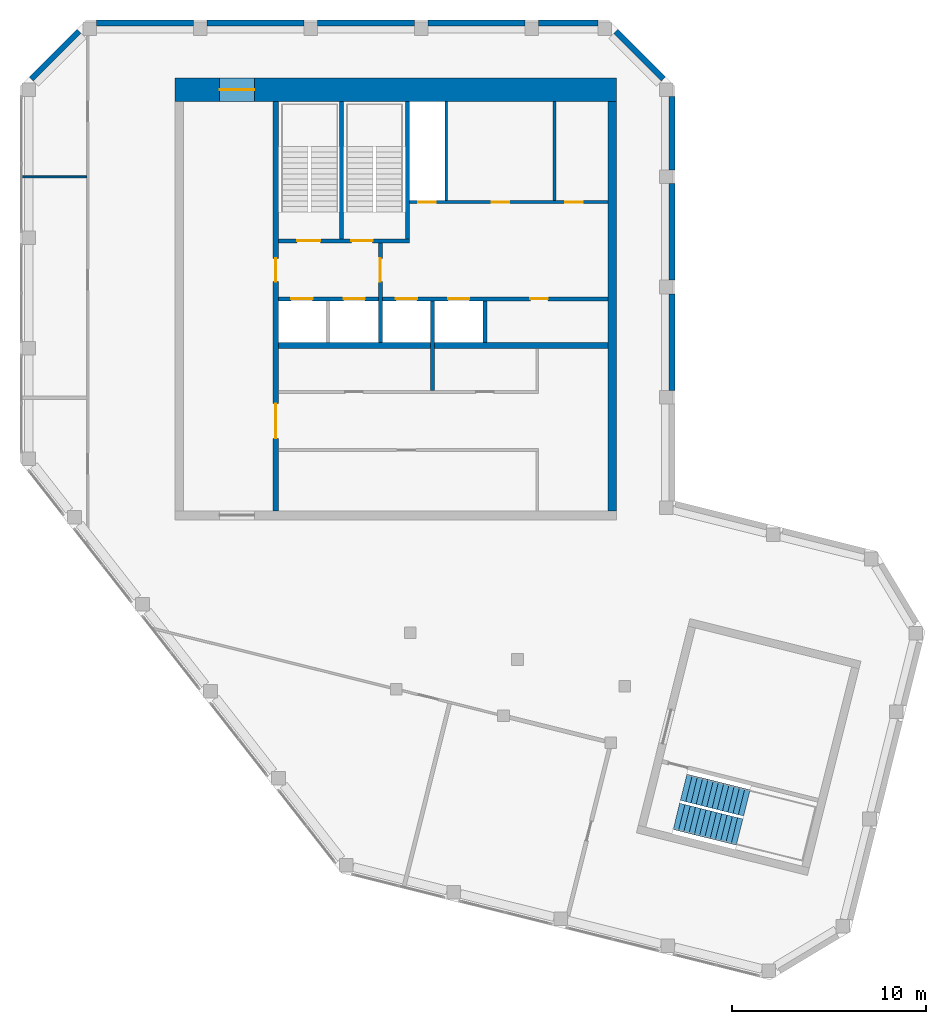
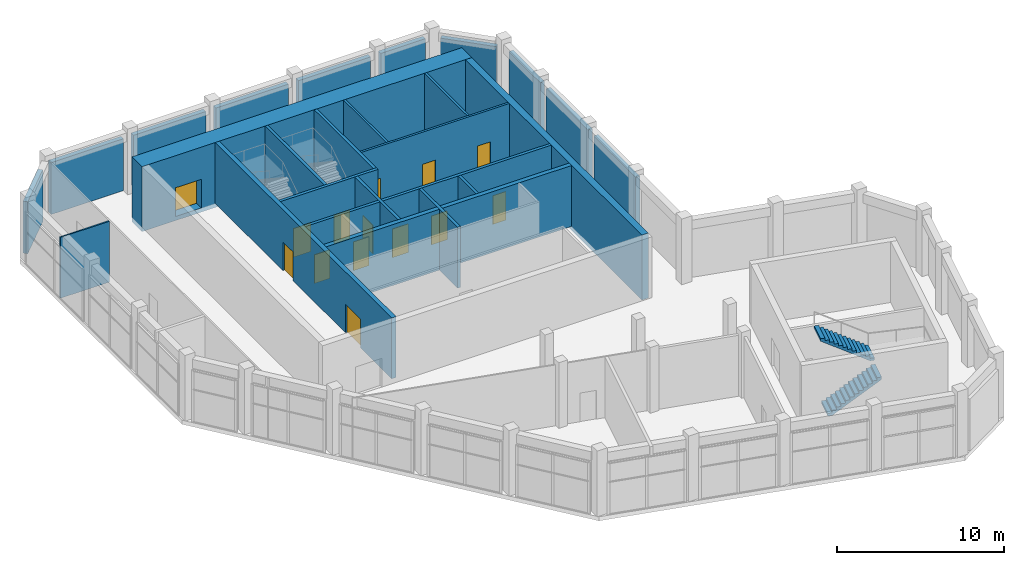
# One storey, part 8 of 10: 25 walls, 14 doors, 2 stair flights, 14 openings, 1 element without a shape of its own.
"""IFC4 building model written with IfcOpenShell, lengths in metres."""

from ifc_helpers import new_model, si_unit, direction, frame, frame_2d, origin, place, context, subcontext, project, spatial, polyline, rectangle, outline, extrude, material, layer, layer_set, type_object, element, fill, aggregate, save


model = new_model("IFC4")

# Units and contexts
model_context = context("Model", 3, precision=1e-05, world=origin(), true_north=direction((0.0, 1.0)))
body_context = subcontext(model_context, "Body", "Model", "MODEL_VIEW")
ifc_project = project(units=[si_unit("LENGTHUNIT", "METRE"), si_unit("AREAUNIT", "SQUARE_METRE"), si_unit("VOLUMEUNIT", "CUBIC_METRE"), si_unit("PLANEANGLEUNIT", "RADIAN"), si_unit("MASSUNIT", "GRAM", prefix="KILO")], contexts=[model_context])

# Site, building, storey
site_placement = place(None, origin())
site = spatial("IfcSite", under=ifc_project, at=site_placement, CompositionType="ELEMENT")
building_placement = place(site_placement, origin())
building = spatial("IfcBuilding", under=site, at=building_placement, Name="Meshkara Civic Tower", CompositionType="ELEMENT")
storey_placement = place(building_placement, frame((0.0, 0.0, 424.199951171875)))
storey = spatial("IfcBuildingStorey", under=building, at=storey_placement, Name="L97 Crown", CompositionType="ELEMENT", Elevation=424.199951171875)

# Walls
ifc_material_1 = material(Name="Insulated infill panel with bronze anodised aluminium cladding", Category="aluminium")
ifc_layer_1 = layer(ifc_material_1, 0.300048828125)
ifc_layer_set_1 = layer_set([ifc_layer_1], Name="CROWN WALL 300")
wall_type_1 = type_object("IfcWallType", Name="CROWN WALL 300", PredefinedType="SOLIDWALL", material=ifc_layer_set_1)
for number, where, z_axis, x_axis, name in (
    (1, (33.64990234375, 20.76904296875, 0.0), (0.0, 0.0, 1.0), (0.0, 1.0, 0.0), "Crown external wall"),
    (2, (33.64990234375, 26.468994140625, 0.0), (0.0, 0.0, 1.0), (0.0, 1.0, 0.0), "Crown external wall"),
):
    element("IfcWall", number, at=place(storey_placement, frame(where, z_axis=z_axis, x_axis=x_axis)), inside=storey, type_object=wall_type_1, Name=name, PredefinedType="SOLIDWALL", context=body_context, shape_type="SweptSolid", body=[
        extrude(rectangle(XDim=5.0, YDim=0.300048828125, at=frame_2d((2.5, 0.0))), origin(), (0.0, 0.0, 1.0), 3.800048828125),
    ])
wall_1_placement = place(storey_placement, frame((33.64990234375, 32.1689453125, 0.0), z_axis=(0.0, 0.0, 1.0), x_axis=(0.0, 1.0, 0.0)))
element("IfcWall", 3, at=wall_1_placement, inside=storey, type_object=wall_type_1, Name="Crown external wall", PredefinedType="SOLIDWALL", context=body_context, shape_type="SweptSolid", body=[
    extrude(rectangle(XDim=3.775146484375, YDim=0.300048828125, at=frame_2d((1.8876953125, 0.0))), origin(), (0.0, 0.0, 1.0), 3.800048828125),
])
wall_2_placement = place(storey_placement, frame((33.2119140625, 36.85595703125, 0.0), z_axis=(0.0, 0.0, 1.0), x_axis=(-0.707071634094, 0.707141926532, 0.0)))
element("IfcWall", 4, at=wall_2_placement, inside=storey, type_object=wall_type_1, Name="Crown external wall", PredefinedType="SOLIDWALL", context=body_context, shape_type="SweptSolid", body=[
    extrude(rectangle(XDim=3.47314453125, YDim=0.300048828125, at=frame_2d((1.736572265625, 0.0))), origin(), (0.0, 0.0, 1.0), 3.800048828125),
])
wall_3_placement = place(storey_placement, frame((29.843994140625, 39.75, 0.0), z_axis=(0.0, 0.0, 1.0), x_axis=(-1.0, 0.0, 0.0)))
element("IfcWall", 5, at=wall_3_placement, inside=storey, type_object=wall_type_1, Name="Crown external wall", PredefinedType="SOLIDWALL", context=body_context, shape_type="SweptSolid", body=[
    extrude(rectangle(XDim=3.087890625, YDim=0.300048828125, at=frame_2d((1.5439453125, 0.0))), origin(), (0.0, 0.0, 1.0), 3.800048828125),
])
for number, where, z_axis, x_axis, name in (
    (6, (26.055908203125, 39.75, 0.0), (0.0, 0.0, 1.0), (-1.0, 0.0, 0.0), "Crown external wall"),
    (7, (20.35595703125, 39.75, 0.0), (0.0, 0.0, 1.0), (-1.0, 0.0, 0.0), "Crown external wall"),
    (8, (14.656005859375, 39.75, 0.0), (0.0, 0.0, 1.0), (-1.0, 0.0, 0.0), "Crown external wall"),
    (9, (8.9560546875, 39.75, 0.0), (0.0, 0.0, 1.0), (-1.0, 0.0, 0.0), "Crown external wall"),
):
    element("IfcWall", number, at=place(storey_placement, frame(where, z_axis=z_axis, x_axis=x_axis)), inside=storey, type_object=wall_type_1, Name=name, PredefinedType="SOLIDWALL", context=body_context, shape_type="SweptSolid", body=[
        extrude(rectangle(XDim=5.0, YDim=0.300048828125, at=frame_2d((2.5, 0.0))), origin(), (0.0, 0.0, 1.0), 3.800048828125),
    ])
wall_4_placement = place(storey_placement, frame((3.0439453125, 39.31201171875, 0.0), z_axis=(0.0, 0.0, 1.0), x_axis=(-0.707106781187, -0.707106781187, 0.0)))
element("IfcWall", 10, at=wall_4_placement, inside=storey, type_object=wall_type_1, Name="Crown external wall", PredefinedType="SOLIDWALL", context=body_context, shape_type="SweptSolid", body=[
    extrude(rectangle(XDim=3.473388671875, YDim=0.300048828125, at=frame_2d((1.73681640625, 0.0))), origin(), (0.0, 0.0, 1.0), 3.800048828125),
])

# Wall, openings, doors
ifc_material_2 = material(Name="Blockwork", Category="masonry")
ifc_layer_2 = layer(ifc_material_2, 0.14990234375)
ifc_layer_set_2 = layer_set([ifc_layer_2], Name="Core partition 150")
wall_type_2 = type_object("IfcWallType", Name="Core partition 150", PredefinedType="PARTITIONING", material=ifc_layer_set_2)
wall_5_placement = place(storey_placement, frame((20.10009765625, 30.5, 0.0), z_axis=(0.0, 0.0, 1.0), x_axis=(1.0, 0.0, 0.0)))
wall_5 = element("IfcWall", 11, at=wall_5_placement, inside=storey, type_object=wall_type_2, Name="L97 Crown-C010", PredefinedType="PARTITIONING", context=body_context, shape_type="SweptSolid", body=[
    extrude(rectangle(XDim=10.25, YDim=0.14990234375, at=frame_2d((5.125, 0.0))), origin(), (0.0, 0.0, 1.0), 4.449951171875),
])
opening_1_placement = place(wall_5_placement, frame((0.449951171875, 0.0, 0.0)))
opening_1 = element("IfcOpeningElement", 12, at=opening_1_placement, cuts=wall_5, Name="Opening L97 Crown-K009", PredefinedType="OPENING", context=body_context, shape_type="SweptSolid", body=[
    extrude(rectangle(XDim=0.89990234375, YDim=2.10009765625, at=frame_2d((0.449951171875, 1.050048828125))), frame((0.0, 0.0849609375, 0.0), z_axis=(0.0, -1.0, 0.0), x_axis=(1.0, 0.0, 0.0)), (0.0, 0.0, 1.0), 0.169921875),
])
opening_2_placement = place(wall_5_placement, frame((4.25, 0.0, 0.0)))
opening_2 = element("IfcOpeningElement", 13, at=opening_2_placement, cuts=wall_5, Name="Opening L97 Crown-K010", PredefinedType="OPENING", context=body_context, shape_type="SweptSolid", body=[
    extrude(rectangle(XDim=0.89990234375, YDim=2.10009765625, at=frame_2d((0.449951171875, 1.050048828125))), frame((0.0, 0.0849609375, 0.0), z_axis=(0.0, -1.0, 0.0), x_axis=(1.0, 0.0, 0.0)), (0.0, 0.0, 1.0), 0.169921875),
])
opening_3_placement = place(wall_5_placement, frame((8.050048828125, 0.0, 0.0)))
opening_3 = element("IfcOpeningElement", 14, at=opening_3_placement, cuts=wall_5, Name="Opening L97 Crown-K011", PredefinedType="OPENING", context=body_context, shape_type="SweptSolid", body=[
    extrude(rectangle(XDim=0.89990234375, YDim=2.10009765625, at=frame_2d((0.449951171875, 1.050048828125))), frame((0.0, 0.0849609375, 0.0), z_axis=(0.0, -1.0, 0.0), x_axis=(1.0, 0.0, 0.0)), (0.0, 0.0, 1.0), 0.169921875),
])
ifc_material_3 = material(Name="Timber door leaf in steel frame", Category="steel")
door_type_1 = type_object("IfcDoorType", Name="Core room door 900", OperationType="SINGLE_SWING_LEFT", PredefinedType="DOOR", material=ifc_material_3)
door_1_placement = place(opening_2_placement, origin())
door_1 = element("IfcDoor", 15, at=door_1_placement, inside=storey, type_object=door_type_1, Name="L97 Crown-K010", OperationType="SINGLE_SWING_RIGHT", OverallHeight=2.10009765625, OverallWidth=0.89990234375, PredefinedType="DOOR", context=body_context, shape_type="SweptSolid", body=[
    extrude(rectangle(XDim=0.89990234375, YDim=2.10009765625, at=frame_2d((0.449951171875, 1.050048828125))), frame((0.0, 0.02490234375, 0.0), z_axis=(0.0, -1.0, 0.0), x_axis=(1.0, 0.0, 0.0)), (0.0, 0.0, 1.0), 0.050048828125),
])
fill(opening_2, door_1)
door_2_placement = place(opening_3_placement, origin())
door_2 = element("IfcDoor", 16, at=door_2_placement, inside=storey, type_object=door_type_1, Name="L97 Crown-K011", OperationType="SINGLE_SWING_RIGHT", OverallHeight=2.10009765625, OverallWidth=0.89990234375, PredefinedType="DOOR", context=body_context, shape_type="SweptSolid", body=[
    extrude(rectangle(XDim=0.89990234375, YDim=2.10009765625, at=frame_2d((0.449951171875, 1.050048828125))), frame((0.0, 0.02490234375, 0.0), z_axis=(0.0, -1.0, 0.0), x_axis=(1.0, 0.0, 0.0)), (0.0, 0.0, 1.0), 0.050048828125),
])
fill(opening_3, door_2)
ifc_material_4 = material(Name="Fire-rated door leaf in steel frame", Category="steel")
door_type_2 = type_object("IfcDoorType", Name="Riser door 900", OperationType="SINGLE_SWING_LEFT", PredefinedType="DOOR", material=ifc_material_4)
door_3_placement = place(opening_1_placement, origin())
door_3 = element("IfcDoor", 17, at=door_3_placement, inside=storey, type_object=door_type_2, Name="L97 Crown-K009", OperationType="SINGLE_SWING_RIGHT", OverallHeight=2.10009765625, OverallWidth=0.89990234375, PredefinedType="DOOR", context=body_context, shape_type="SweptSolid", body=[
    extrude(rectangle(XDim=0.89990234375, YDim=2.10009765625, at=frame_2d((0.449951171875, 1.050048828125))), frame((0.0, 0.02490234375, 0.0), z_axis=(0.0, -1.0, 0.0), x_axis=(1.0, 0.0, 0.0)), (0.0, 0.0, 1.0), 0.050048828125),
])
fill(opening_1, door_3)

# Walls
for number, where, z_axis, x_axis, name in (
    (18, (22.0, 30.574951171875, 0.0), (0.0, 0.0, 1.0), (0.0, 1.0, 0.0), "L97 Crown-C017"),
    (19, (27.60009765625, 30.574951171875, 0.0), (0.0, 0.0, 1.0), (0.0, 1.0, 0.0), "L97 Crown-C021"),
):
    element("IfcWall", number, at=place(storey_placement, frame(where, z_axis=z_axis, x_axis=x_axis)), inside=storey, type_object=wall_type_2, Name=name, PredefinedType="PARTITIONING", context=body_context, shape_type="SweptSolid", body=[
        extrude(rectangle(XDim=5.125, YDim=0.14990234375, at=frame_2d((2.5625, 0.0))), origin(), (0.0, 0.0, 1.0), 4.449951171875),
    ])

# Wall, opening, door
ifc_material_5 = material(Name="Concrete C50", Category="concrete")
ifc_layer_3 = layer(ifc_material_5, 1.199951171875)
ifc_layer_set_3 = layer_set([ifc_layer_3], Name="Core ring wall 1200 C50")
wall_type_3 = type_object("IfcWallType", Name="Core ring wall 1200 C50", PredefinedType="SHEAR", material=ifc_layer_set_3)
wall_6_placement = place(storey_placement, frame((8.0, 36.300048828125, -0.300048828125), z_axis=(0.0, 0.0, 1.0), x_axis=(1.0, 0.0, 0.0)))
wall_6 = element("IfcWall", 20, at=wall_6_placement, inside=storey, type_object=wall_type_3, Name="L97 Crown-C002", PredefinedType="SHEAR", context=body_context, shape_type="SweptSolid", body=[
    extrude(rectangle(XDim=22.800048828125, YDim=1.199951171875, at=frame_2d((11.39990234375, 0.0))), origin(), (0.0, 0.0, 1.0), 4.75),
])
opening_4_placement = place(wall_6_placement, frame((2.300048828125, 0.0, 0.300048828125)))
opening_4 = element("IfcOpeningElement", 21, at=opening_4_placement, cuts=wall_6, Name="Opening L97 Crown-K017", PredefinedType="OPENING", context=body_context, shape_type="SweptSolid", body=[
    extrude(rectangle(XDim=1.800048828125, YDim=2.10009765625, at=frame_2d((0.89990234375, 1.050048828125))), frame((0.0, 0.60986328125, 0.0), z_axis=(0.0, -1.0, 0.0), x_axis=(1.0, 0.0, 0.0)), (0.0, 0.0, 1.0), 1.219970703125),
])
ifc_material_6 = material(Name="Fire-rated door leaf in steel frame", Category="steel")
door_type_3 = type_object("IfcDoorType", Name="Core double door 1800 EI 60", OperationType="DOUBLE_DOOR_SINGLE_SWING", PredefinedType="DOOR", material=ifc_material_6)
door_4_placement = place(opening_4_placement, origin())
door_4 = element("IfcDoor", 22, at=door_4_placement, inside=storey, type_object=door_type_3, Name="L97 Crown-K017", OperationType="DOUBLE_DOOR_SINGLE_SWING", OverallHeight=2.10009765625, OverallWidth=1.800048828125, PredefinedType="DOOR", context=body_context, shape_type="SweptSolid", body=[
    extrude(rectangle(XDim=1.800048828125, YDim=2.10009765625, at=frame_2d((0.89990234375, 1.050048828125))), frame((0.0, 0.02490234375, 0.0), z_axis=(0.0, -1.0, 0.0), x_axis=(1.0, 0.0, 0.0)), (0.0, 0.0, 1.0), 0.050048828125),
])
fill(opening_4, door_4)

# Walls
ifc_material_7 = material(Name="Concrete C50", Category="concrete")
ifc_layer_4 = layer(ifc_material_7, 0.449951171875)
ifc_layer_set_4 = layer_set([ifc_layer_4], Name="Core ring wall 450 C50")
wall_type_4 = type_object("IfcWallType", Name="Core ring wall 450 C50", PredefinedType="SHEAR", material=ifc_layer_set_4)
wall_7_placement = place(storey_placement, frame((30.574951171875, 14.550048828125, -0.300048828125), z_axis=(0.0, 0.0, 1.0), x_axis=(0.0, 1.0, 0.0)))
element("IfcWall", 23, at=wall_7_placement, inside=storey, type_object=wall_type_4, Name="L97 Crown-C004", PredefinedType="SHEAR", context=body_context, shape_type="SweptSolid", body=[
    extrude(rectangle(XDim=21.14990234375, YDim=0.449951171875, at=frame_2d((10.574951171875, 0.0))), origin(), (0.0, 0.0, 1.0), 4.75),
])
ifc_material_8 = material(Name="Concrete C50", Category="concrete")
ifc_layer_5 = layer(ifc_material_8, 0.300048828125)
ifc_layer_set_5 = layer_set([ifc_layer_5], Name="Core shear wall 300 C50")
wall_type_5 = type_object("IfcWallType", Name="Core shear wall 300 C50", PredefinedType="SHEAR", material=ifc_layer_set_5)
wall_8_placement = place(storey_placement, frame((13.35009765625, 23.10009765625, 0.0), z_axis=(0.0, 0.0, 1.0), x_axis=(1.0, 0.0, 0.0)))
element("IfcWall", 24, at=wall_8_placement, inside=storey, type_object=wall_type_5, Name="L97 Crown-C007", PredefinedType="SHEAR", context=body_context, shape_type="SweptSolid", body=[
    extrude(rectangle(XDim=17.0, YDim=0.300048828125, at=frame_2d((8.5, 0.0))), origin(), (0.0, 0.0, 1.0), 4.449951171875),
])

# Wall, openings, doors
wall_9_placement = place(storey_placement, frame((13.199951171875, 14.550048828125, 0.0), z_axis=(0.0, 0.0, 1.0), x_axis=(0.0, 1.0, 0.0)))
wall_9 = element("IfcWall", 25, at=wall_9_placement, inside=storey, type_object=wall_type_5, Name="L97 Crown-C011", PredefinedType="SHEAR", context=body_context, shape_type="SweptSolid", body=[
    extrude(rectangle(XDim=21.14990234375, YDim=0.300048828125, at=frame_2d((10.574951171875, 0.0))), origin(), (0.0, 0.0, 1.0), 4.449951171875),
])
opening_5_placement = place(wall_9_placement, frame((3.75, 0.0, 0.0)))
opening_5 = element("IfcOpeningElement", 26, at=opening_5_placement, cuts=wall_9, Name="Opening L97 Crown-K014", PredefinedType="OPENING", context=body_context, shape_type="SweptSolid", body=[
    extrude(rectangle(XDim=1.800048828125, YDim=2.10009765625, at=frame_2d((0.89990234375, 1.050048828125))), frame((0.0, 0.159912109375, 0.0), z_axis=(0.0, -1.0, 0.0), x_axis=(1.0, 0.0, 0.0)), (0.0, 0.0, 1.0), 0.320068359375),
])
opening_6_placement = place(wall_9_placement, frame((11.85009765625, 0.0, 0.0)))
opening_6 = element("IfcOpeningElement", 27, at=opening_6_placement, cuts=wall_9, Name="Opening L97 Crown-K015", PredefinedType="OPENING", context=body_context, shape_type="SweptSolid", body=[
    extrude(rectangle(XDim=1.199951171875, YDim=2.10009765625, at=frame_2d((0.60009765625, 1.050048828125))), frame((0.0, 0.159912109375, 0.0), z_axis=(0.0, -1.0, 0.0), x_axis=(1.0, 0.0, 0.0)), (0.0, 0.0, 1.0), 0.320068359375),
])
door_5_placement = place(opening_5_placement, origin())
door_5 = element("IfcDoor", 28, at=door_5_placement, inside=storey, type_object=door_type_3, Name="L97 Crown-K014", OperationType="DOUBLE_DOOR_SINGLE_SWING", OverallHeight=2.10009765625, OverallWidth=1.800048828125, PredefinedType="DOOR", context=body_context, shape_type="SweptSolid", body=[
    extrude(rectangle(XDim=1.800048828125, YDim=2.10009765625, at=frame_2d((0.89990234375, 1.050048828125))), frame((0.0, 0.02490234375, 0.0), z_axis=(0.0, -1.0, 0.0), x_axis=(1.0, 0.0, 0.0)), (0.0, 0.0, 1.0), 0.050048828125),
])
fill(opening_5, door_5)
ifc_material_9 = material(Name="Fire-rated door leaf in steel frame", Category="steel")
door_type_4 = type_object("IfcDoorType", Name="Fire-fighting lobby door 1200 EI 120", OperationType="SINGLE_SWING_LEFT", PredefinedType="DOOR", material=ifc_material_9)
door_6_placement = place(opening_6_placement, origin())
door_6 = element("IfcDoor", 29, at=door_6_placement, inside=storey, type_object=door_type_4, Name="L97 Crown-K015", OperationType="SINGLE_SWING_LEFT", OverallHeight=2.10009765625, OverallWidth=1.199951171875, PredefinedType="DOOR", context=body_context, shape_type="SweptSolid", body=[
    extrude(rectangle(XDim=1.199951171875, YDim=2.10009765625, at=frame_2d((0.60009765625, 1.050048828125))), frame((0.0, 0.02490234375, 0.0), z_axis=(0.0, -1.0, 0.0), x_axis=(1.0, 0.0, 0.0)), (0.0, 0.0, 1.0), 0.050048828125),
])
fill(opening_6, door_6)

# Wall
ifc_material_10 = material(Name="Partition 100")
ifc_layer_6 = layer(ifc_material_10, 0.10009765625)
ifc_layer_set_6 = layer_set([ifc_layer_6], Name="Partition 100")
wall_type_6 = type_object("IfcWallType", Name="Partition 100", PredefinedType="PARTITIONING", material=ifc_layer_set_6)
wall_10_placement = place(storey_placement, frame((3.449951171875, 31.800048828125, 0.0), z_axis=(0.0, 0.0, 1.0), x_axis=(-1.0, 0.0, 0.0)))
element("IfcWall", 30, at=wall_10_placement, inside=storey, type_object=wall_type_6, Name="L97 Crown-R007", PredefinedType="PARTITIONING", context=body_context, shape_type="SweptSolid", body=[
    extrude(rectangle(XDim=3.3759765625, YDim=0.10009765625, at=frame_2d((1.68798828125, 0.0))), origin(), (0.0, 0.0, 1.0), 4.449951171875),
])

# Wall, openings, doors
ifc_material_11 = material(Name="Concrete C40/50", Category="concrete")
ifc_layer_7 = layer(ifc_material_11, 0.199951171875)
ifc_layer_set_7 = layer_set([ifc_layer_7], Name="Shaft wall 200 C40/50")
wall_type_7 = type_object("IfcWallType", Name="Shaft wall 200 C40/50", PredefinedType="SOLIDWALL", material=ifc_layer_set_7)
wall_11_placement = place(storey_placement, frame((13.35009765625, 25.5, 0.0), z_axis=(0.0, 0.0, 1.0), x_axis=(1.0, 0.0, 0.0)))
wall_11 = element("IfcWall", 31, at=wall_11_placement, inside=storey, type_object=wall_type_7, Name="L97 Crown-C008", PredefinedType="SOLIDWALL", context=body_context, shape_type="SweptSolid", body=[
    extrude(rectangle(XDim=17.0, YDim=0.199951171875, at=frame_2d((8.5, 0.0))), origin(), (0.0, 0.0, 1.0), 4.449951171875),
])
opening_7_placement = place(wall_11_placement, frame((0.64990234375, 0.0, 0.0)))
opening_7 = element("IfcOpeningElement", 32, at=opening_7_placement, cuts=wall_11, Name="Opening L97 Crown-K001", PredefinedType="OPENING", context=body_context, shape_type="SweptSolid", body=[
    extrude(rectangle(XDim=1.10009765625, YDim=2.10009765625, at=frame_2d((0.550048828125, 1.050048828125))), frame((0.0, 0.10986328125, 0.0), z_axis=(0.0, -1.0, 0.0), x_axis=(1.0, 0.0, 0.0)), (0.0, 0.0, 1.0), 0.219970703125),
])
opening_8_placement = place(wall_11_placement, frame((3.35009765625, 0.0, 0.0)))
opening_8 = element("IfcOpeningElement", 33, at=opening_8_placement, cuts=wall_11, Name="Opening L97 Crown-K002", PredefinedType="OPENING", context=body_context, shape_type="SweptSolid", body=[
    extrude(rectangle(XDim=1.10009765625, YDim=2.10009765625, at=frame_2d((0.550048828125, 1.050048828125))), frame((0.0, 0.10986328125, 0.0), z_axis=(0.0, -1.0, 0.0), x_axis=(1.0, 0.0, 0.0)), (0.0, 0.0, 1.0), 0.219970703125),
])
opening_9_placement = place(wall_11_placement, frame((6.050048828125, 0.0, 0.0)))
opening_9 = element("IfcOpeningElement", 34, at=opening_9_placement, cuts=wall_11, Name="Opening L97 Crown-K003", PredefinedType="OPENING", context=body_context, shape_type="SweptSolid", body=[
    extrude(rectangle(XDim=1.10009765625, YDim=2.10009765625, at=frame_2d((0.550048828125, 1.050048828125))), frame((0.0, 0.10986328125, 0.0), z_axis=(0.0, -1.0, 0.0), x_axis=(1.0, 0.0, 0.0)), (0.0, 0.0, 1.0), 0.219970703125),
])
opening_10_placement = place(wall_11_placement, frame((8.75, 0.0, 0.0)))
opening_10 = element("IfcOpeningElement", 35, at=opening_10_placement, cuts=wall_11, Name="Opening L97 Crown-K004", PredefinedType="OPENING", context=body_context, shape_type="SweptSolid", body=[
    extrude(rectangle(XDim=1.10009765625, YDim=2.10009765625, at=frame_2d((0.550048828125, 1.050048828125))), frame((0.0, 0.10986328125, 0.0), z_axis=(0.0, -1.0, 0.0), x_axis=(1.0, 0.0, 0.0)), (0.0, 0.0, 1.0), 0.219970703125),
])
opening_11_placement = place(wall_11_placement, frame((13.0, 0.0, 0.0)))
opening_11 = element("IfcOpeningElement", 36, at=opening_11_placement, cuts=wall_11, Name="Opening L97 Crown-K008", PredefinedType="OPENING", context=body_context, shape_type="SweptSolid", body=[
    extrude(rectangle(XDim=0.89990234375, YDim=2.10009765625, at=frame_2d((0.449951171875, 1.050048828125))), frame((0.0, 0.10986328125, 0.0), z_axis=(0.0, -1.0, 0.0), x_axis=(1.0, 0.0, 0.0)), (0.0, 0.0, 1.0), 0.219970703125),
])
door_7_placement = place(opening_11_placement, origin())
door_7 = element("IfcDoor", 37, at=door_7_placement, inside=storey, type_object=door_type_1, Name="L97 Crown-K008", OperationType="SINGLE_SWING_LEFT", OverallHeight=2.10009765625, OverallWidth=0.89990234375, PredefinedType="DOOR", context=body_context, shape_type="SweptSolid", body=[
    extrude(rectangle(XDim=0.89990234375, YDim=2.10009765625, at=frame_2d((0.449951171875, 1.050048828125))), frame((0.0, 0.02490234375, 0.0), z_axis=(0.0, -1.0, 0.0), x_axis=(1.0, 0.0, 0.0)), (0.0, 0.0, 1.0), 0.050048828125),
])
fill(opening_11, door_7)
ifc_material_12 = material(Name="Stainless steel landing door", Category="steel")
door_type_5 = type_object("IfcDoorType", Name="Lift landing door 1100", OperationType="SLIDING_TO_LEFT", PredefinedType="DOOR", material=ifc_material_12)
door_8_placement = place(opening_7_placement, origin())
door_8 = element("IfcDoor", 38, at=door_8_placement, inside=storey, type_object=door_type_5, Name="L97 Crown-K001", OperationType="SLIDING_TO_LEFT", OverallHeight=2.10009765625, OverallWidth=1.10009765625, PredefinedType="DOOR", context=body_context, shape_type="SweptSolid", body=[
    extrude(rectangle(XDim=1.10009765625, YDim=2.10009765625, at=frame_2d((0.550048828125, 1.050048828125))), frame((0.0, 0.02490234375, 0.0), z_axis=(0.0, -1.0, 0.0), x_axis=(1.0, 0.0, 0.0)), (0.0, 0.0, 1.0), 0.050048828125),
])
fill(opening_7, door_8)
door_9_placement = place(opening_8_placement, origin())
door_9 = element("IfcDoor", 39, at=door_9_placement, inside=storey, type_object=door_type_5, Name="L97 Crown-K002", OperationType="SLIDING_TO_LEFT", OverallHeight=2.10009765625, OverallWidth=1.10009765625, PredefinedType="DOOR", context=body_context, shape_type="SweptSolid", body=[
    extrude(rectangle(XDim=1.10009765625, YDim=2.10009765625, at=frame_2d((0.550048828125, 1.050048828125))), frame((0.0, 0.02490234375, 0.0), z_axis=(0.0, -1.0, 0.0), x_axis=(1.0, 0.0, 0.0)), (0.0, 0.0, 1.0), 0.050048828125),
])
fill(opening_8, door_9)
door_10_placement = place(opening_9_placement, origin())
door_10 = element("IfcDoor", 40, at=door_10_placement, inside=storey, type_object=door_type_5, Name="L97 Crown-K003", OperationType="SLIDING_TO_LEFT", OverallHeight=2.10009765625, OverallWidth=1.10009765625, PredefinedType="DOOR", context=body_context, shape_type="SweptSolid", body=[
    extrude(rectangle(XDim=1.10009765625, YDim=2.10009765625, at=frame_2d((0.550048828125, 1.050048828125))), frame((0.0, 0.02490234375, 0.0), z_axis=(0.0, -1.0, 0.0), x_axis=(1.0, 0.0, 0.0)), (0.0, 0.0, 1.0), 0.050048828125),
])
fill(opening_9, door_10)
door_11_placement = place(opening_10_placement, origin())
door_11 = element("IfcDoor", 41, at=door_11_placement, inside=storey, type_object=door_type_5, Name="L97 Crown-K004", OperationType="SLIDING_TO_LEFT", OverallHeight=2.10009765625, OverallWidth=1.10009765625, PredefinedType="DOOR", context=body_context, shape_type="SweptSolid", body=[
    extrude(rectangle(XDim=1.10009765625, YDim=2.10009765625, at=frame_2d((0.550048828125, 1.050048828125))), frame((0.0, 0.02490234375, 0.0), z_axis=(0.0, -1.0, 0.0), x_axis=(1.0, 0.0, 0.0)), (0.0, 0.0, 1.0), 0.050048828125),
])
fill(opening_10, door_11)

# Wall, opening, door
wall_12_placement = place(storey_placement, frame((18.60009765625, 23.25, 0.0), z_axis=(0.0, 0.0, 1.0), x_axis=(0.0, 1.0, 0.0)))
wall_12 = element("IfcWall", 42, at=wall_12_placement, inside=storey, type_object=wall_type_7, Name="L97 Crown-C014", PredefinedType="SOLIDWALL", context=body_context, shape_type="SweptSolid", body=[
    extrude(rectangle(XDim=5.14990234375, YDim=0.199951171875, at=frame_2d((2.574951171875, 0.0))), origin(), (0.0, 0.0, 1.0), 4.449951171875),
])
opening_12_placement = place(wall_12_placement, frame((3.14990234375, 0.0, 0.0)))
opening_12 = element("IfcOpeningElement", 43, at=opening_12_placement, cuts=wall_12, Name="Opening L97 Crown-K016", PredefinedType="OPENING", context=body_context, shape_type="SweptSolid", body=[
    extrude(rectangle(XDim=1.199951171875, YDim=2.10009765625, at=frame_2d((0.60009765625, 1.050048828125))), frame((0.0, 0.10986328125, 0.0), z_axis=(0.0, -1.0, 0.0), x_axis=(1.0, 0.0, 0.0)), (0.0, 0.0, 1.0), 0.219970703125),
])
door_12_placement = place(opening_12_placement, origin())
door_12 = element("IfcDoor", 44, at=door_12_placement, inside=storey, type_object=door_type_4, Name="L97 Crown-K016", OperationType="SINGLE_SWING_RIGHT", OverallHeight=2.10009765625, OverallWidth=1.199951171875, PredefinedType="DOOR", context=body_context, shape_type="SweptSolid", body=[
    extrude(rectangle(XDim=1.199951171875, YDim=2.10009765625, at=frame_2d((0.60009765625, 1.050048828125))), frame((0.0, 0.02490234375, 0.0), z_axis=(0.0, -1.0, 0.0), x_axis=(1.0, 0.0, 0.0)), (0.0, 0.0, 1.0), 0.050048828125),
])
fill(opening_12, door_12)

# Walls
wall_13_placement = place(storey_placement, frame((21.300048828125, 20.77490234375, 0.0), z_axis=(0.0, 0.0, 1.0), x_axis=(0.0, 1.0, 0.0)))
element("IfcWall", 45, at=wall_13_placement, inside=storey, type_object=wall_type_7, Name="L97 Crown-C016", PredefinedType="SOLIDWALL", context=body_context, shape_type="SweptSolid", body=[
    extrude(rectangle(XDim=4.625, YDim=0.199951171875, at=frame_2d((2.3125, 0.0))), origin(), (0.0, 0.0, 1.0), 4.449951171875),
])
wall_14_placement = place(storey_placement, frame((24.0, 23.25, 0.0), z_axis=(0.0, 0.0, 1.0), x_axis=(0.0, 1.0, 0.0)))
element("IfcWall", 46, at=wall_14_placement, inside=storey, type_object=wall_type_7, Name="L97 Crown-C018", PredefinedType="SOLIDWALL", context=body_context, shape_type="SweptSolid", body=[
    extrude(rectangle(XDim=2.14990234375, YDim=0.199951171875, at=frame_2d((1.074951171875, 0.0))), origin(), (0.0, 0.0, 1.0), 4.449951171875),
])

# Wall, openings, doors
ifc_material_13 = material(Name="Concrete C40/50", Category="concrete")
ifc_layer_8 = layer(ifc_material_13, 0.199951171875)
ifc_layer_set_8 = layer_set([ifc_layer_8], Name="Stair enclosure wall 200 C40/50")
wall_type_8 = type_object("IfcWallType", Name="Stair enclosure wall 200 C40/50", PredefinedType="SOLIDWALL", material=ifc_layer_set_8)
wall_15_placement = place(storey_placement, frame((13.35009765625, 28.5, 0.0), z_axis=(0.0, 0.0, 1.0), x_axis=(1.0, 0.0, 0.0)))
wall_15 = element("IfcWall", 47, at=wall_15_placement, inside=storey, type_object=wall_type_8, Name="L97 Crown-C009", PredefinedType="SOLIDWALL", context=body_context, shape_type="SweptSolid", body=[
    extrude(rectangle(XDim=6.75, YDim=0.199951171875, at=frame_2d((3.375, 0.0))), origin(), (0.0, 0.0, 1.0), 4.449951171875),
])
opening_13_placement = place(wall_15_placement, frame((0.949951171875, 0.0, 0.0)))
opening_13 = element("IfcOpeningElement", 48, at=opening_13_placement, cuts=wall_15, Name="Opening L97 Crown-K012", PredefinedType="OPENING", context=body_context, shape_type="SweptSolid", body=[
    extrude(rectangle(XDim=1.199951171875, YDim=2.10009765625, at=frame_2d((0.60009765625, 1.050048828125))), frame((0.0, 0.10986328125, 0.0), z_axis=(0.0, -1.0, 0.0), x_axis=(1.0, 0.0, 0.0)), (0.0, 0.0, 1.0), 0.219970703125),
])
opening_14_placement = place(wall_15_placement, frame((3.75, 0.0, 0.0)))
opening_14 = element("IfcOpeningElement", 49, at=opening_14_placement, cuts=wall_15, Name="Opening L97 Crown-K013", PredefinedType="OPENING", context=body_context, shape_type="SweptSolid", body=[
    extrude(rectangle(XDim=1.10009765625, YDim=2.10009765625, at=frame_2d((0.550048828125, 1.050048828125))), frame((0.0, 0.10986328125, 0.0), z_axis=(0.0, -1.0, 0.0), x_axis=(1.0, 0.0, 0.0)), (0.0, 0.0, 1.0), 0.219970703125),
])
ifc_material_14 = material(Name="Fire-rated door leaf in steel frame", Category="steel")
door_type_6 = type_object("IfcDoorType", Name="Stair door 1100 EI 120", OperationType="SINGLE_SWING_LEFT", PredefinedType="DOOR", material=ifc_material_14)
door_13_placement = place(opening_14_placement, origin())
door_13 = element("IfcDoor", 50, at=door_13_placement, inside=storey, type_object=door_type_6, Name="L97 Crown-K013", OperationType="SINGLE_SWING_LEFT", OverallHeight=2.10009765625, OverallWidth=1.10009765625, PredefinedType="DOOR", context=body_context, shape_type="SweptSolid", body=[
    extrude(rectangle(XDim=1.10009765625, YDim=2.10009765625, at=frame_2d((0.550048828125, 1.050048828125))), frame((0.0, 0.02490234375, 0.0), z_axis=(0.0, -1.0, 0.0), x_axis=(1.0, 0.0, 0.0)), (0.0, 0.0, 1.0), 0.050048828125),
])
fill(opening_14, door_13)
ifc_material_15 = material(Name="Fire-rated door leaf in steel frame", Category="steel")
door_type_7 = type_object("IfcDoorType", Name="Stair door 1200 EI 120", OperationType="SINGLE_SWING_LEFT", PredefinedType="DOOR", material=ifc_material_15)
door_14_placement = place(opening_13_placement, origin())
door_14 = element("IfcDoor", 51, at=door_14_placement, inside=storey, type_object=door_type_7, Name="L97 Crown-K012", OperationType="SINGLE_SWING_RIGHT", OverallHeight=2.10009765625, OverallWidth=1.199951171875, PredefinedType="DOOR", context=body_context, shape_type="SweptSolid", body=[
    extrude(rectangle(XDim=1.199951171875, YDim=2.10009765625, at=frame_2d((0.60009765625, 1.050048828125))), frame((0.0, 0.02490234375, 0.0), z_axis=(0.0, -1.0, 0.0), x_axis=(1.0, 0.0, 0.0)), (0.0, 0.0, 1.0), 0.050048828125),
])
fill(opening_13, door_14)

# Walls
for number, where, z_axis, x_axis, name in (
    (52, (16.60009765625, 28.60009765625, 0.0), (0.0, 0.0, 1.0), (0.0, 1.0, 0.0), "L97 Crown-C013"),
    (53, (20.0, 28.60009765625, 0.0), (0.0, 0.0, 1.0), (0.0, 1.0, 0.0), "L97 Crown-C015"),
):
    element("IfcWall", number, at=place(storey_placement, frame(where, z_axis=z_axis, x_axis=x_axis)), inside=storey, type_object=wall_type_8, Name=name, PredefinedType="SOLIDWALL", context=body_context, shape_type="SweptSolid", body=[
        extrude(rectangle(XDim=7.099853515625, YDim=0.199951171875, at=frame_2d((3.5498046875, 0.0))), origin(), (0.0, 0.0, 1.0), 4.449951171875),
    ])

# Stair, stair flights
ifc_material_16 = material(Name="Precast concrete C40/50", Category="concrete")
stair_type = type_object("IfcStairType", Name="Exit stair half-turn 26 risers precast", PredefinedType="HALF_TURN_STAIR", material=ifc_material_16)
stair_placement = place(storey_placement, origin())
stair = element("IfcStair", 54, at=stair_placement, inside=storey, type_object=stair_type, Name="L97 Crown exit stair B from L96 Crown", PredefinedType="HALF_TURN_STAIR")
ifc_material_17 = material(Name="Precast concrete C40/50", Category="concrete")
stair_flight_type = type_object("IfcStairFlightType", Name="Exit stair flight 13 risers precast", PredefinedType="STRAIGHT", material=ifc_material_17)
stair_flight_1_placement = place(storey_placement, frame((33.885009765625, -1.20751953125, 0.0), z_axis=(0.0, 0.0, 1.0), x_axis=(0.970552679811, -0.240888969675, 0.0)))
stair_flight_1 = element("IfcStairFlight", 55, at=stair_flight_1_placement, type_object=stair_flight_type, Name="ESB9 flight 1", NumberOfRisers=13, NumberOfTreads=12, PredefinedType="STRAIGHT", RiserHeight=0.184615385, TreadLength=0.28, context=body_context, shape_type="SweptSolid", body=[
    extrude(outline(polyline([(0.0, 0.0), (0.0, 0.1845703125), (0.280029296875, 0.1845703125), (0.280029296875, 0.369140625), (0.56005859375, 0.369140625), (0.56005859375, 0.553955078125), (0.840087890625, 0.553955078125), (0.840087890625, 0.738525390625), (1.1201171875, 0.738525390625), (1.1201171875, 0.923095703125), (1.39990234375, 0.923095703125), (1.39990234375, 1.107666015625), (1.679931640625, 1.107666015625), (1.679931640625, 1.292236328125), (1.9599609375, 1.292236328125), (1.9599609375, 1.476806640625), (2.239990234375, 1.476806640625), (2.239990234375, 1.66162109375), (2.52001953125, 1.66162109375), (2.52001953125, 1.84619140625), (2.800048828125, 1.84619140625), (2.800048828125, 2.03076171875), (3.080078125, 2.03076171875), (3.080078125, 2.21533203125), (3.360107421875, 2.21533203125), (3.360107421875, 2.39990234375), (3.360107421875, 2.035888671875), (0.272216796875, 0.0), (0.0, 0.0)])), frame((0.0, 0.699951171875, 0.0), z_axis=(0.0, -1.0, 0.0), x_axis=(1.0, 0.0, 0.0)), (0.0, 0.0, 1.0), 1.39990234375),
])
stair_flight_2_placement = place(storey_placement, frame((37.51953125, -0.512451171875, 2.400146484375), z_axis=(0.0, 0.0, 1.0), x_axis=(-0.970552679811, 0.240888969675, 0.0)))
stair_flight_2 = element("IfcStairFlight", 56, at=stair_flight_2_placement, type_object=stair_flight_type, Name="ESB9 flight 2", NumberOfRisers=13, NumberOfTreads=12, PredefinedType="STRAIGHT", RiserHeight=0.184615385, TreadLength=0.28, context=body_context, shape_type="SweptSolid", body=[
    extrude(outline(polyline([(0.0, 0.0), (0.0, 0.1845703125), (0.280029296875, 0.1845703125), (0.280029296875, 0.369140625), (0.56005859375, 0.369140625), (0.56005859375, 0.553955078125), (0.840087890625, 0.553955078125), (0.840087890625, 0.738525390625), (1.1201171875, 0.738525390625), (1.1201171875, 0.923095703125), (1.39990234375, 0.923095703125), (1.39990234375, 1.107666015625), (1.679931640625, 1.107666015625), (1.679931640625, 1.292236328125), (1.9599609375, 1.292236328125), (1.9599609375, 1.476806640625), (2.239990234375, 1.476806640625), (2.239990234375, 1.66162109375), (2.52001953125, 1.66162109375), (2.52001953125, 1.84619140625), (2.800048828125, 1.84619140625), (2.800048828125, 2.03076171875), (3.080078125, 2.03076171875), (3.080078125, 2.21533203125), (3.360107421875, 2.21533203125), (3.360107421875, 2.39990234375), (3.360107421875, 2.035888671875), (0.272216796875, 0.0), (0.0, 0.0)])), frame((0.0, 0.699951171875, 0.0), z_axis=(0.0, -1.0, 0.0), x_axis=(1.0, 0.0, 0.0)), (0.0, 0.0, 1.0), 1.39990234375),
])
aggregate(stair, [stair_flight_1, stair_flight_2])

save(model, "model.ifc")
